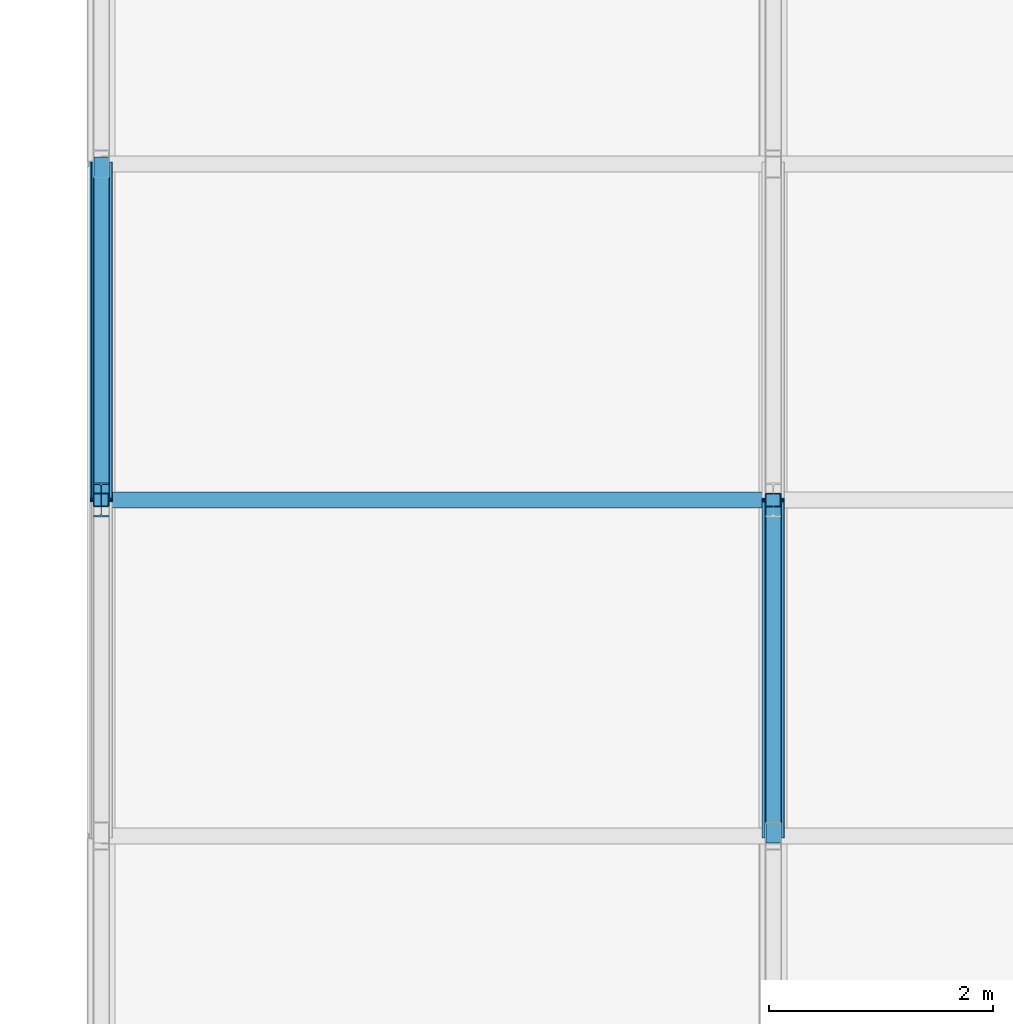
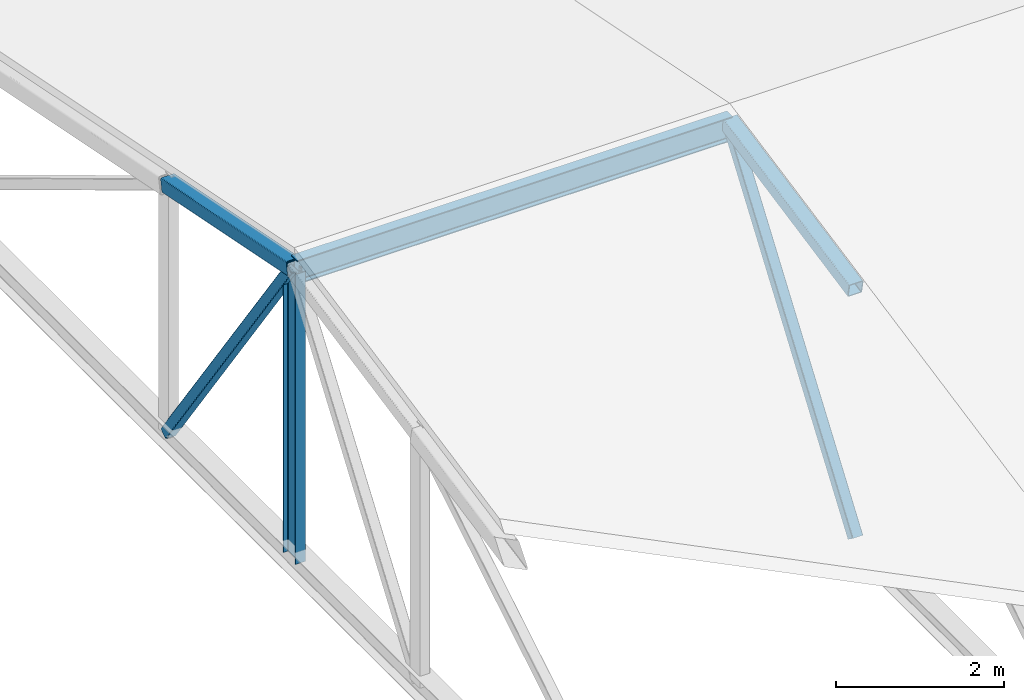
# One storey, part 23 of 83: 4 members, 2 beams.
"""IFC4 building model written with IfcOpenShell, lengths in metres."""

from ifc_helpers import new_model, si_unit, direction, frame, origin, origin_2d, place, context, subcontext, project, spatial, hollow_rectangle, i_section, extrude, material, material_profile, profile_set, type_object, element, save


model = new_model("IFC4")

# Units and contexts
model_context = context("Model", 3, precision=1e-05, world=origin(), true_north=direction((0.0, 1.0)))
body_context = subcontext(model_context, "Body", "Model", "MODEL_VIEW")
ifc_project = project(units=[si_unit("LENGTHUNIT", "METRE"), si_unit("AREAUNIT", "SQUARE_METRE"), si_unit("VOLUMEUNIT", "CUBIC_METRE"), si_unit("PLANEANGLEUNIT", "RADIAN"), si_unit("MASSUNIT", "GRAM", prefix="KILO")], contexts=[model_context])

# Site, building, storey
site_placement = place(None, origin())
site = spatial("IfcSite", under=ifc_project, at=site_placement, CompositionType="ELEMENT")
building_placement = place(site_placement, origin())
building = spatial("IfcBuilding", under=site, at=building_placement, Name="Varnakota Square Police Headquarters", CompositionType="ELEMENT")
storey_placement = place(building_placement, frame((0.0, 0.0, 18.0)))
storey = spatial("IfcBuildingStorey", under=building, at=storey_placement, Name="L04", CompositionType="ELEMENT", Elevation=18.0)

# Beams
ifc_material = material(Name="Steel IS 2062 Grade 350", Category="steel")
ifc_material_profile_1 = material_profile(ifc_material, hollow_rectangle(XDim=0.199951171875, YDim=0.199951171875, WallThickness=0.010009765625, InnerFilletRadius=0.010009765625, OuterFilletRadius=0.02001953125, at=origin_2d()), Name="SHS 200x200x10")
ifc_profile_set_1 = profile_set([ifc_material_profile_1], Name="Steel IS 2062 Grade 350")
beam_type = type_object("IfcBeamType", Name="BM-TR-SHS200", PredefinedType="BEAM", material=ifc_profile_set_1)
for number, where, z_axis, x_axis, name in (
    (1, (6.0, 90.0, 2.719970703125), (0.0, 0.980589882373, -0.196070096109), (-1.0, 0.0, 0.0), "ROOF TRUSS top chord T1-P4"),
    (2, (12.0, 87.0, 2.1201171875), (0.0, 0.980589882373, 0.196070096109), (-1.0, 0.0, 0.0), "ROOF TRUSS top chord T2-P3"),
):
    element("IfcBeam", number, at=place(storey_placement, frame(where, z_axis=z_axis, x_axis=x_axis)), inside=storey, type_object=beam_type, Name=name, PredefinedType="BEAM", context=body_context, shape_type="SweptSolid", body=[
        extrude(hollow_rectangle(XDim=0.199951171875, YDim=0.199951171875, WallThickness=0.010009765625, InnerFilletRadius=0.010009765625, OuterFilletRadius=0.02001953125, at=origin_2d()), origin(), (0.0, 0.0, 1.0), 3.059326171875),
    ])

# Members
ifc_material_profile_2 = material_profile(ifc_material, hollow_rectangle(XDim=0.14990234375, YDim=0.14990234375, WallThickness=0.008056640625, InnerFilletRadius=0.008056640625, OuterFilletRadius=0.01611328125, at=origin_2d()), Name="SHS 150x150x8")
ifc_profile_set_2 = profile_set([ifc_material_profile_2], Name="Steel IS 2062 Grade 350")
member_type_1 = type_object("IfcMemberType", Name="MEM-BR-SHS150", PredefinedType="BRACE", material=ifc_profile_set_2)
for number, where, z_axis, x_axis, name in (
    (3, (6.0, 90.0, 2.719970703125), (0.0, 0.579412433141, -0.815034497627), (-1.0, 0.0, 0.0), "ROOF TRUSS diagonal web T1-P4"),
    (4, (12.0, 87.0, -1.5), (0.0, 0.579412433141, 0.815034497627), (-1.0, 0.0, 0.0), "ROOF TRUSS diagonal web T2-P3"),
):
    element("IfcMember", number, at=place(storey_placement, frame(where, z_axis=z_axis, x_axis=x_axis)), inside=storey, type_object=member_type_1, Name=name, PredefinedType="BRACE", context=body_context, shape_type="SweptSolid", body=[
        extrude(hollow_rectangle(XDim=0.14990234375, YDim=0.14990234375, WallThickness=0.008056640625, InnerFilletRadius=0.008056640625, OuterFilletRadius=0.01611328125, at=origin_2d()), origin(), (0.0, 0.0, 1.0), 5.177734375),
    ])
ifc_material_profile_3 = material_profile(ifc_material, i_section(OverallWidth=0.139892578125, OverallDepth=0.35009765625, WebThickness=0.008056640625, FlangeThickness=0.01416015625, FilletRadius=0.013916015625, at=origin_2d()), Name="ISMB 350")
ifc_profile_set_3 = profile_set([ifc_material_profile_3], Name="Steel IS 2062 Grade 350")
member_type_2 = type_object("IfcMemberType", Name="MEM-PUR-ISMB350", PredefinedType="PURLIN", material=ifc_profile_set_3)
member_1_placement = place(storey_placement, frame((6.0, 90.0, 2.675048828125), z_axis=(1.0, 0.0, 0.0), x_axis=(0.0, 1.0, 0.0)))
element("IfcMember", 5, at=member_1_placement, inside=storey, type_object=member_type_2, Name="Tactical hall purlin B1-Y90", PredefinedType="PURLIN", context=body_context, shape_type="SweptSolid", body=[
    extrude(i_section(OverallWidth=0.139892578125, OverallDepth=0.35009765625, WebThickness=0.008056640625, FlangeThickness=0.01416015625, FilletRadius=0.013916015625, at=origin_2d()), origin(), (0.0, 0.0, 1.0), 6.0),
])
ifc_material_profile_4 = material_profile(ifc_material, i_section(OverallWidth=0.139892578125, OverallDepth=0.300048828125, WebThickness=0.0078125, FlangeThickness=0.01318359375, FilletRadius=0.013916015625, at=origin_2d()), Name="ISMB 300")
ifc_profile_set_4 = profile_set([ifc_material_profile_4], Name="Steel IS 2062 Grade 350")
member_type_3 = type_object("IfcMemberType", Name="MEM-STR-ISMB300", PredefinedType="STRUT", material=ifc_profile_set_4)
member_2_placement = place(storey_placement, frame((6.0, 90.0, -1.5), z_axis=(0.0, 0.0, 1.0), x_axis=(1.0, 0.0, 0.0)))
element("IfcMember", 6, at=member_2_placement, inside=storey, type_object=member_type_3, Name="ROOF TRUSS vertical strut T1-V3", PredefinedType="STRUT", context=body_context, shape_type="SweptSolid", body=[
    extrude(i_section(OverallWidth=0.139892578125, OverallDepth=0.300048828125, WebThickness=0.0078125, FlangeThickness=0.01318359375, FilletRadius=0.013916015625, at=origin_2d()), origin(), (0.0, 0.0, 1.0), 4.219970703125),
])

save(model, "model.ifc")
